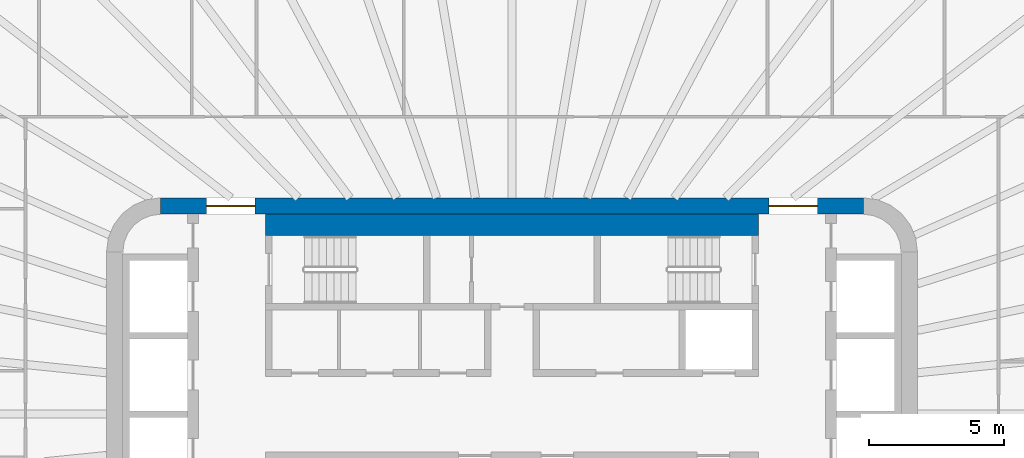
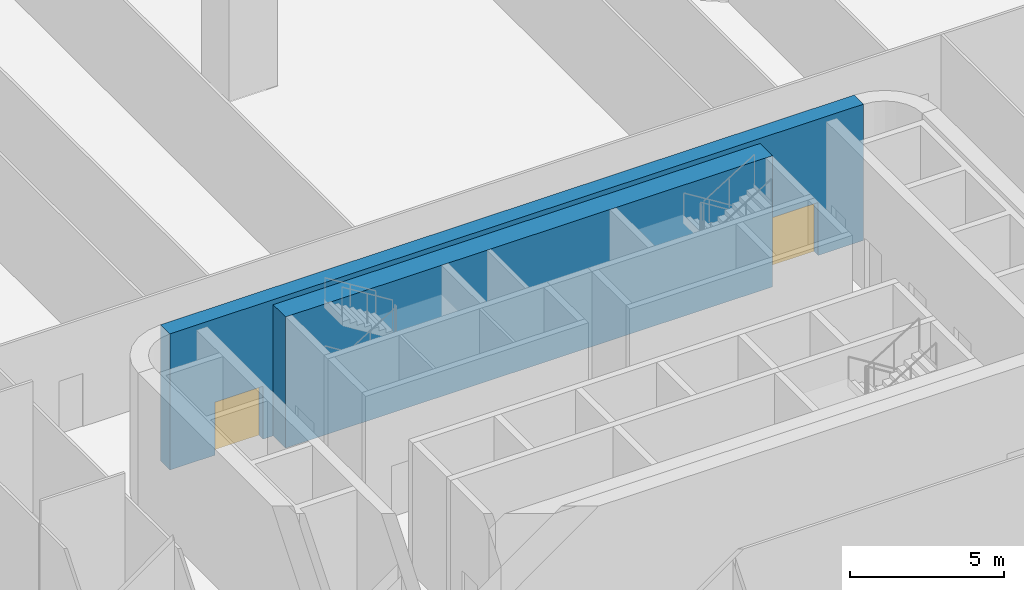
# One storey, part 24 of 42: 2 doors, 2 walls, 2 openings.
"""IFC4 building model written with IfcOpenShell, lengths in metres."""

from ifc_helpers import new_model, si_unit, direction, frame, frame_2d, origin, place, context, subcontext, project, spatial, rectangle, extrude, material, layer, layer_set, type_object, element, fill, save


model = new_model("IFC4")

# Units and contexts
model_context = context("Model", 3, precision=1e-05, world=origin(), true_north=direction((0.0, 1.0)))
body_context = subcontext(model_context, "Body", "Model", "MODEL_VIEW")
ifc_project = project(units=[si_unit("LENGTHUNIT", "METRE"), si_unit("AREAUNIT", "SQUARE_METRE"), si_unit("VOLUMEUNIT", "CUBIC_METRE"), si_unit("PLANEANGLEUNIT", "RADIAN"), si_unit("MASSUNIT", "GRAM", prefix="KILO")], contexts=[model_context])

# Site, building, storey
site_placement = place(None, origin())
site = spatial("IfcSite", under=ifc_project, at=site_placement, CompositionType="ELEMENT")
building_placement = place(site_placement, origin())
building = spatial("IfcBuilding", under=site, at=building_placement, Name="Sahrelin Media Tower", CompositionType="ELEMENT")
storey_placement = place(building_placement, frame((0.0, 0.0, 26.0)))
storey = spatial("IfcBuildingStorey", under=building, at=storey_placement, Name="L03", CompositionType="ELEMENT", Elevation=26.0)

# Wall, openings, doors
ifc_material_1 = material(Name="Concrete C60/75", Category="concrete")
ifc_layer_1 = layer(ifc_material_1, 0.60009765625)
ifc_layer_set_1 = layer_set([ifc_layer_1], Name="Core wall 600")
wall_type_1 = type_object("IfcWallType", Name="Core wall 600", PredefinedType="SHEAR", material=ifc_layer_set_1)
wall_1_placement = place(storey_placement, frame((-13.0, 7.699951171875, 0.0), z_axis=(0.0, 0.0, 1.0), x_axis=(1.0, 0.0, 0.0)))
wall_1 = element("IfcWall", 1, at=wall_1_placement, inside=storey, type_object=wall_type_1, Name="Core wall N L03", PredefinedType="SHEAR", context=body_context, shape_type="SweptSolid", body=[
    extrude(rectangle(XDim=26.0, YDim=0.60009765625, at=frame_2d((13.0, 0.0))), origin(), (0.0, 0.0, 1.0), 5.39990234375),
])
opening_1_placement = place(wall_1_placement, frame((1.699951171875, 0.0, 0.0)))
opening_1 = element("IfcOpeningElement", 2, at=opening_1_placement, cuts=wall_1, Name="Opening L03-D16", PredefinedType="OPENING", context=body_context, shape_type="SweptSolid", body=[
    extrude(rectangle(XDim=1.800048828125, YDim=2.10009765625, at=frame_2d((0.89990234375, 1.050048828125))), frame((0.0, 0.300048828125, 0.0), z_axis=(0.0, -1.0, 0.0), x_axis=(1.0, 0.0, 0.0)), (0.0, 0.0, 1.0), 0.60009765625),
])
opening_2_placement = place(wall_1_placement, frame((22.5, 0.0, 0.0)))
opening_2 = element("IfcOpeningElement", 3, at=opening_2_placement, cuts=wall_1, Name="Opening L03-D17", PredefinedType="OPENING", context=body_context, shape_type="SweptSolid", body=[
    extrude(rectangle(XDim=1.800048828125, YDim=2.10009765625, at=frame_2d((0.89990234375, 1.050048828125))), frame((0.0, 0.300048828125, 0.0), z_axis=(0.0, -1.0, 0.0), x_axis=(1.0, 0.0, 0.0)), (0.0, 0.0, 1.0), 0.60009765625),
])
ifc_material_2 = material(Name="Steel fire door leaf", Category="steel")
door_type = type_object("IfcDoorType", Name="Lobby double door 1800 x 2100 EI 60", OperationType="DOUBLE_DOOR_SINGLE_SWING", PredefinedType="DOOR", material=ifc_material_2)
door_1_placement = place(opening_1_placement, origin())
door_1 = element("IfcDoor", 4, at=door_1_placement, inside=storey, type_object=door_type, Name="Lobby door", OperationType="DOUBLE_DOOR_SINGLE_SWING", OverallHeight=2.10009765625, OverallWidth=1.800048828125, PredefinedType="DOOR", context=body_context, shape_type="SweptSolid", body=[
    extrude(rectangle(XDim=1.800048828125, YDim=2.10009765625, at=frame_2d((0.89990234375, 1.050048828125))), frame((0.0, 0.02490234375, 0.0), z_axis=(0.0, -1.0, 0.0), x_axis=(1.0, 0.0, 0.0)), (0.0, 0.0, 1.0), 0.050048828125),
])
fill(opening_1, door_1)
door_2_placement = place(opening_2_placement, origin())
door_2 = element("IfcDoor", 5, at=door_2_placement, inside=storey, type_object=door_type, Name="Lobby door", OperationType="DOUBLE_DOOR_SINGLE_SWING", OverallHeight=2.10009765625, OverallWidth=1.800048828125, PredefinedType="DOOR", context=body_context, shape_type="SweptSolid", body=[
    extrude(rectangle(XDim=1.800048828125, YDim=2.10009765625, at=frame_2d((0.89990234375, 1.050048828125))), frame((0.0, 0.02490234375, 0.0), z_axis=(0.0, -1.0, 0.0), x_axis=(1.0, 0.0, 0.0)), (0.0, 0.0, 1.0), 0.050048828125),
])
fill(opening_2, door_2)

# Wall
ifc_layer_2 = layer(ifc_material_1, 0.800048828125)
ifc_layer_set_2 = layer_set([ifc_layer_2], Name="Stair enclosure wall 800")
wall_type_2 = type_object("IfcWallType", Name="Stair enclosure wall 800", PredefinedType="SOLIDWALL", material=ifc_layer_set_2)
wall_2_placement = place(storey_placement, frame((-9.125, 7.0, 0.0), z_axis=(0.0, 0.0, 1.0), x_axis=(1.0, 0.0, 0.0)))
element("IfcWall", 6, at=wall_2_placement, inside=storey, type_object=wall_type_2, Name="Stair enclosure wall", PredefinedType="SOLIDWALL", context=body_context, shape_type="SweptSolid", body=[
    extrude(rectangle(XDim=18.25, YDim=0.800048828125, at=frame_2d((9.125, 0.0))), origin(), (0.0, 0.0, 1.0), 5.199951171875),
])

save(model, "model.ifc")
